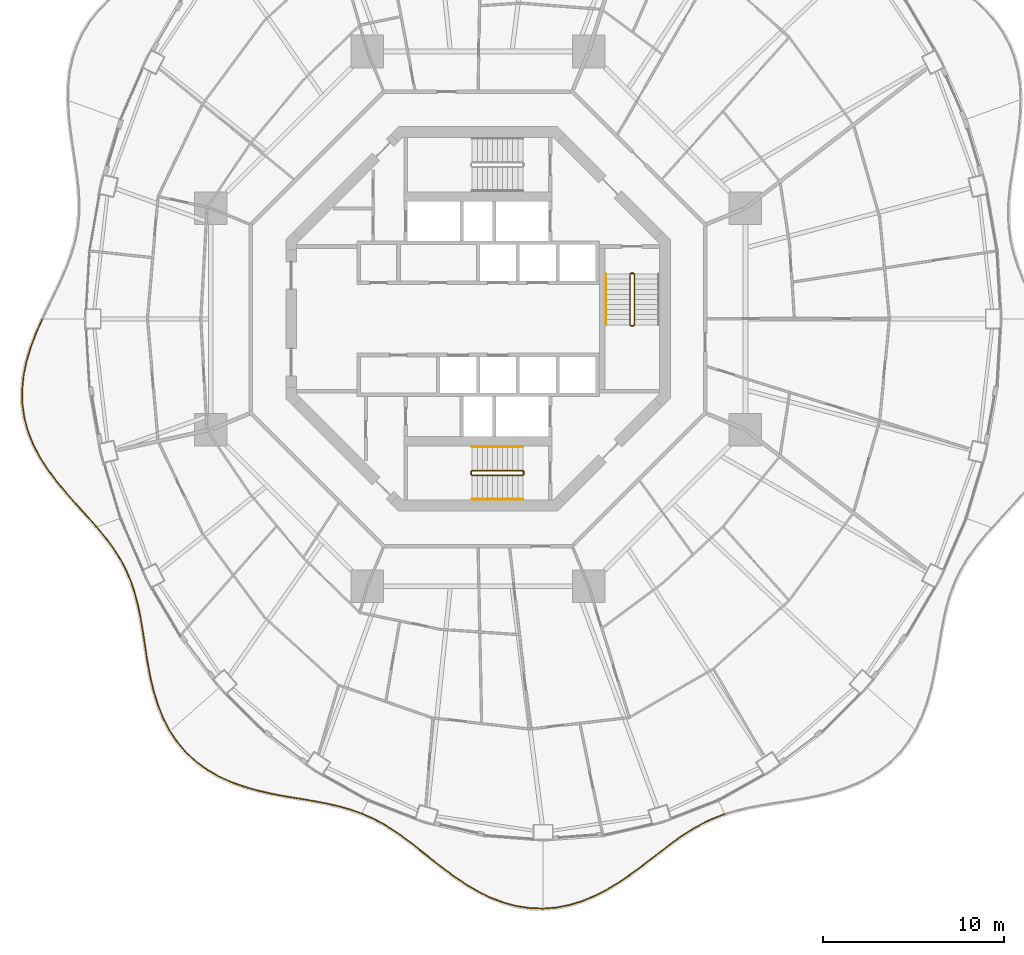
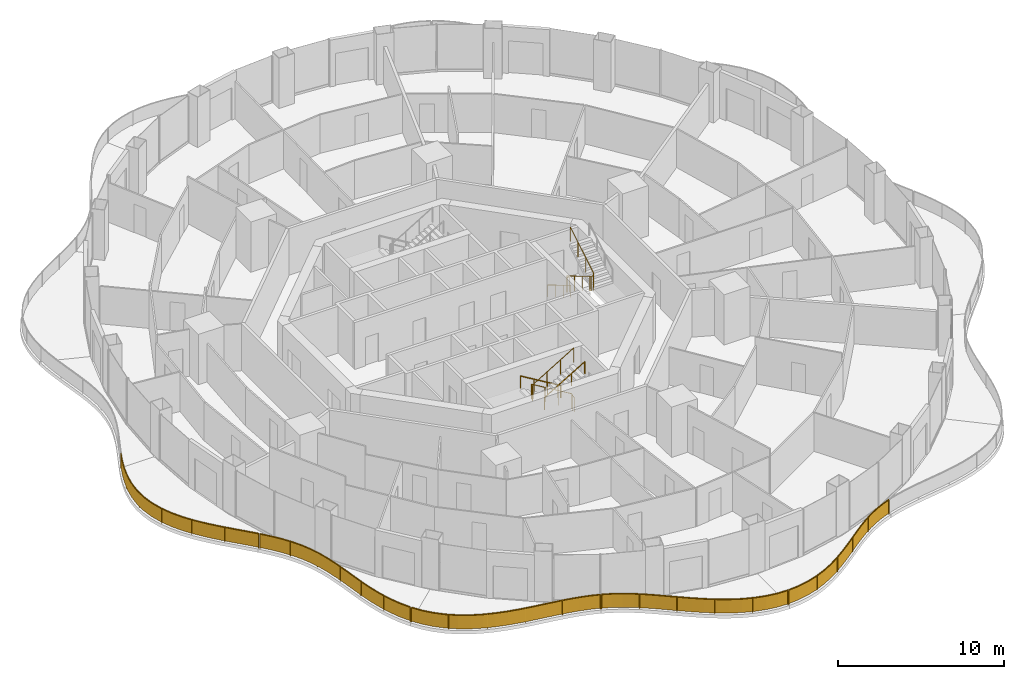
# One storey, part 17 of 19: 10 railings.
"""IFC4 building model written with IfcOpenShell, lengths in metres."""

from ifc_helpers import new_model, si_unit, direction, frame, origin, origin_2d, place, context, subcontext, project, spatial, polyline, rectangle, circle, outline, extrude, material, type_object, element, save


model = new_model("IFC4")

# Units and contexts
model_context = context("Model", 3, precision=1e-05, world=origin(), true_north=direction((0.0, 1.0)))
body_context = subcontext(model_context, "Body", "Model", "MODEL_VIEW")
ifc_project = project(units=[si_unit("LENGTHUNIT", "METRE"), si_unit("AREAUNIT", "SQUARE_METRE"), si_unit("VOLUMEUNIT", "CUBIC_METRE"), si_unit("PLANEANGLEUNIT", "RADIAN"), si_unit("MASSUNIT", "GRAM", prefix="KILO")], contexts=[model_context])

# Site, building, storey
site_placement = place(None, origin())
site = spatial("IfcSite", under=ifc_project, at=site_placement, CompositionType="ELEMENT")
building_placement = place(site_placement, origin())
building = spatial("IfcBuilding", under=site, at=building_placement, Name="Nagisa Residences", CompositionType="ELEMENT")
storey_placement = place(building_placement, frame((0.0, 0.0, 177.0)))
storey = spatial("IfcBuildingStorey", under=building, at=storey_placement, Name="L44", CompositionType="ELEMENT", Elevation=177.0)

# Railings
ifc_material_1 = material(Name="Stainless steel 316", Category="steel")
railing_type_1 = type_object("IfcRailingType", Name="BALCONY GUARD 1100", PredefinedType="BALUSTRADE", material=ifc_material_1)
railing_1_placement = place(storey_placement, frame((-24.099609375, -0.034912109375, 0.0)))
element("IfcRailing", 1, at=railing_1_placement, inside=storey, type_object=railing_type_1, Name="guard:L44:bal08-0", PredefinedType="BALUSTRADE", context=body_context, shape_type="SweptSolid", body=[
    extrude(outline(polyline([(-0.29736328125, -0.731689453125), (0.02294921875, -0.01025390625), (-0.02294921875, 0.01025390625), (-0.34375, -0.712646484375), (-0.640869140625, -1.49169921875), (-0.880615234375, -2.28173828125), (-1.04736328125, -3.078369140625), (-1.12890625, -3.87646484375), (-1.117919921875, -4.656494140625), (-1.008056640625, -5.439697265625), (-0.80078125, -6.20654296875), (-0.502197265625, -6.951904296875), (-0.12158203125, -7.672607421875), (0.324462890625, -8.353271484375), (0.82666015625, -9.02099609375), (1.363037109375, -9.663818359375), (1.91552734375, -10.285888671875), (2.465087890625, -10.892822265625), (2.966796875, -11.457763671875), (3.00439453125, -11.424560546875), (2.502197265625, -10.859619140625), (1.95263671875, -10.252685546875), (1.401123046875, -9.631103515625), (0.86572265625, -8.98974609375), (0.365478515625, -8.324462890625), (-0.07861328125, -7.647216796875), (-0.456787109375, -6.930908203125), (-0.75341796875, -6.1904296875), (-0.958740234375, -5.429443359375), (-1.068115234375, -4.652587890625), (-1.07861328125, -3.87890625), (-0.998046875, -3.086181640625), (-0.832275390625, -2.2939453125), (-0.593505859375, -1.5078125), (-0.29736328125, -0.731689453125)])), frame((0.0, 0.0, 1.050048828125)), (0.0, 0.0, 1.0), 0.050048828125),
    extrude(outline(polyline([(-0.31396484375, -0.724853515625), (0.00634765625, -0.0029296875), (-0.00634765625, 0.0029296875), (-0.3271484375, -0.719482421875), (-0.623779296875, -1.49755859375), (-0.86328125, -2.2861328125), (-1.029541015625, -3.081298828125), (-1.11083984375, -3.87744140625), (-1.10009765625, -4.655029296875), (-0.990234375, -5.43603515625), (-0.78369140625, -6.20068359375), (-0.48583984375, -6.9443359375), (-0.106201171875, -7.66357421875), (0.33935546875, -8.3427734375), (0.8408203125, -9.009765625), (1.376708984375, -9.652099609375), (1.928955078125, -10.27392578125), (2.478515625, -10.880859375), (2.98046875, -11.44580078125), (2.99072265625, -11.4365234375), (2.48876953125, -10.87158203125), (1.939208984375, -10.2646484375), (1.387451171875, -9.642822265625), (0.8515625, -9.0009765625), (0.3505859375, -8.3349609375), (-0.093994140625, -7.65625), (-0.47314453125, -6.9384765625), (-0.7705078125, -6.1962890625), (-0.9765625, -5.43310546875), (-1.0859375, -4.654052734375), (-1.0966796875, -3.8779296875), (-1.015869140625, -3.083251953125), (-0.849609375, -2.28955078125), (-0.610595703125, -1.501953125), (-0.31396484375, -0.724853515625)])), frame((0.0, 0.0, 0.06005859375)), (0.0, 0.0, 1.0), 0.989990234375),
    extrude(rectangle(XDim=0.0400390625, YDim=0.0400390625, at=origin_2d()), origin(), (0.0, 0.0, 1.0), 1.050048828125),
    extrude(rectangle(XDim=0.0400390625, YDim=0.0400390625, at=origin_2d()), frame((-0.771240234375, -2.0068359375, 0.0)), (0.0, 0.0, 1.0), 1.050048828125),
    extrude(rectangle(XDim=0.0400390625, YDim=0.0400390625, at=origin_2d()), frame((-1.100341796875, -4.125244140625, 0.0)), (0.0, 0.0, 1.0), 1.050048828125),
    extrude(rectangle(XDim=0.0400390625, YDim=0.0400390625, at=origin_2d()), frame((-0.7607421875, -6.2392578125, 0.0)), (0.0, 0.0, 1.0), 1.050048828125),
    extrude(rectangle(XDim=0.0400390625, YDim=0.0400390625, at=origin_2d()), frame((0.2197265625, -8.14794921875, 0.0)), (0.0, 0.0, 1.0), 1.050048828125),
    extrude(rectangle(XDim=0.0400390625, YDim=0.0400390625, at=origin_2d()), frame((1.550537109375, -9.837158203125, 0.0)), (0.0, 0.0, 1.0), 1.050048828125),
    extrude(rectangle(XDim=0.0400390625, YDim=0.0400390625, at=origin_2d()), frame((2.985595703125, -11.441162109375, 0.0)), (0.0, 0.0, 1.0), 1.050048828125),
])
railing_2_placement = place(storey_placement, frame((-21.06396484375, -11.531005859375, 0.0)))
element("IfcRailing", 2, at=railing_2_placement, inside=storey, type_object=railing_type_1, Name="guard:L44:bal09-0", PredefinedType="BALUSTRADE", context=body_context, shape_type="SweptSolid", body=[
    extrude(outline(polyline([(0.47314453125, -0.52978515625), (0.019287109375, 0.01611328125), (-0.019287109375, -0.01611328125), (0.43359375, -0.560546875), (0.86962890625, -1.146240234375), (1.254150390625, -1.745361328125), (1.583984375, -2.364501953125), (1.859130859375, -3.009521484375), (2.076416015625, -3.670654296875), (2.25634765625, -4.375732421875), (2.402587890625, -5.11083984375), (2.52783203125, -5.87353515625), (2.646484375, -6.65771484375), (2.764892578125, -7.443359375), (2.915771484375, -8.245849609375), (3.104248046875, -9.0419921875), (3.343505859375, -9.8193359375), (3.6435546875, -10.566650390625), (3.98828125, -11.230224609375), (4.03271484375, -11.207275390625), (3.68896484375, -10.545654296875), (3.390869140625, -9.802734375), (3.152587890625, -9.02880859375), (2.964599609375, -8.235595703125), (2.814208984375, -7.43505859375), (2.69580078125, -6.650390625), (2.5771484375, -5.86572265625), (2.451904296875, -5.10205078125), (2.30517578125, -4.364501953125), (2.124267578125, -3.656494140625), (1.906005859375, -2.991943359375), (1.62939453125, -2.343017578125), (1.297607421875, -1.719970703125), (0.91064453125, -1.117919921875), (0.47314453125, -0.52978515625)])), frame((0.0, 0.0, 1.050048828125)), (0.0, 0.0, 1.0), 0.050048828125),
    extrude(outline(polyline([(0.458984375, -0.540771484375), (0.00537109375, 0.00439453125), (-0.00537109375, -0.00439453125), (0.44775390625, -0.549560546875), (0.88427734375, -1.135986328125), (1.269775390625, -1.736328125), (1.600341796875, -2.356689453125), (1.8759765625, -3.003173828125), (2.093505859375, -3.66552734375), (2.27392578125, -4.37158203125), (2.42041015625, -5.107666015625), (2.545654296875, -5.87060546875), (2.664306640625, -6.655029296875), (2.78271484375, -7.4404296875), (2.933349609375, -8.2421875), (3.12158203125, -9.037353515625), (3.360595703125, -9.8134765625), (3.659912109375, -10.55908203125), (4.00439453125, -11.221923828125), (4.0166015625, -11.215576171875), (3.672607421875, -10.55322265625), (3.373779296875, -9.80859375), (3.13525390625, -9.033447265625), (2.947021484375, -8.2392578125), (2.79638671875, -7.43798828125), (2.677978515625, -6.653076171875), (2.559326171875, -5.86865234375), (2.43408203125, -5.105224609375), (2.28759765625, -4.36865234375), (2.107177734375, -3.66162109375), (1.88916015625, -2.998291015625), (1.613037109375, -2.350830078125), (1.281982421875, -1.72900390625), (0.89599609375, -1.128173828125), (0.458984375, -0.540771484375)])), frame((0.0, 0.0, 0.06005859375)), (0.0, 0.0, 1.0), 0.989990234375),
    extrude(rectangle(XDim=0.0400390625, YDim=0.0400390625, at=origin_2d()), origin(), (0.0, 0.0, 1.0), 1.050048828125),
    extrude(rectangle(XDim=0.0400390625, YDim=0.0400390625, at=origin_2d()), frame((1.200927734375, -1.61572265625, 0.0)), (0.0, 0.0, 1.0), 1.050048828125),
    extrude(rectangle(XDim=0.0400390625, YDim=0.0400390625, at=origin_2d()), frame((2.029052734375, -3.44677734375, 0.0)), (0.0, 0.0, 1.0), 1.050048828125),
    extrude(rectangle(XDim=0.0400390625, YDim=0.0400390625, at=origin_2d()), frame((2.47705078125, -5.409912109375, 0.0)), (0.0, 0.0, 1.0), 1.050048828125),
    extrude(rectangle(XDim=0.0400390625, YDim=0.0400390625, at=origin_2d()), frame((2.783935546875, -7.40185546875, 0.0)), (0.0, 0.0, 1.0), 1.050048828125),
    extrude(rectangle(XDim=0.0400390625, YDim=0.0400390625, at=origin_2d()), frame((3.22998046875, -9.36572265625, 0.0)), (0.0, 0.0, 1.0), 1.050048828125),
    extrude(rectangle(XDim=0.0400390625, YDim=0.0400390625, at=origin_2d()), frame((4.010498046875, -11.21875, 0.0)), (0.0, 0.0, 1.0), 1.050048828125),
])
railing_3_placement = place(storey_placement, frame((-17.014404296875, -22.816650390625, 0.0)))
element("IfcRailing", 3, at=railing_3_placement, inside=storey, type_object=railing_type_1, Name="guard:L44:bal10-0", PredefinedType="BALUSTRADE", context=body_context, shape_type="SweptSolid", body=[
    extrude(outline(polyline([(0.40966796875, -0.568359375), (0.020751953125, 0.013916015625), (-0.020751953125, -0.013916015625), (0.36962890625, -0.5986328125), (0.853759765625, -1.16748046875), (1.40185546875, -1.676025390625), (2.0087890625, -2.12109375), (2.66748046875, -2.50244140625), (3.357177734375, -2.8115234375), (4.091552734375, -3.07470703125), (4.847412109375, -3.288330078125), (5.6142578125, -3.46240234375), (6.381591796875, -3.608154296875), (7.126220703125, -3.728271484375), (7.867919921875, -3.8544921875), (8.587158203125, -3.989501953125), (9.280517578125, -4.14599609375), (9.946044921875, -4.33349609375), (10.5458984375, -4.54541015625), (10.5625, -4.498046875), (9.961181640625, -4.28564453125), (9.292724609375, -4.09765625), (8.597412109375, -3.940673828125), (7.876708984375, -3.80517578125), (7.134521484375, -3.678955078125), (6.390380859375, -3.558837890625), (5.62451171875, -3.41357421875), (4.859619140625, -3.239990234375), (4.106689453125, -3.02685546875), (3.375732421875, -2.76513671875), (2.6904296875, -2.4580078125), (2.0361328125, -2.0791015625), (1.43359375, -1.637451171875), (0.889892578125, -1.1328125), (0.40966796875, -0.568359375)])), frame((0.0, 0.0, 1.050048828125)), (0.0, 0.0, 1.0), 0.050048828125),
    extrude(outline(polyline([(0.395263671875, -0.579345703125), (0.005859375, 0.00390625), (-0.005859375, -0.00390625), (0.384033203125, -0.587646484375), (0.86669921875, -1.155029296875), (1.413330078125, -1.662109375), (2.0185546875, -2.10595703125), (2.67578125, -2.486572265625), (3.36376953125, -2.794921875), (4.096923828125, -3.057373046875), (4.851806640625, -3.27099609375), (5.617919921875, -3.44482421875), (6.384765625, -3.59033203125), (7.129150390625, -3.71044921875), (7.87109375, -3.836669921875), (8.5908203125, -3.971923828125), (9.284912109375, -4.128662109375), (9.951416015625, -4.316162109375), (10.5517578125, -4.5283203125), (10.556640625, -4.51513671875), (9.955810546875, -4.302978515625), (9.288330078125, -4.114990234375), (8.59375, -3.958251953125), (7.87353515625, -3.822998046875), (7.131591796875, -3.69677734375), (6.38720703125, -3.57666015625), (5.620849609375, -3.43115234375), (4.855224609375, -3.25732421875), (4.101318359375, -3.044189453125), (3.369140625, -2.78173828125), (2.68212890625, -2.473876953125), (2.0263671875, -2.09423828125), (1.422119140625, -1.6513671875), (0.876953125, -1.145263671875), (0.395263671875, -0.579345703125)])), frame((0.0, 0.0, 0.06005859375)), (0.0, 0.0, 1.0), 0.989990234375),
    extrude(rectangle(XDim=0.0400390625, YDim=0.0400390625, at=origin_2d()), origin(), (0.0, 0.0, 1.0), 1.050048828125),
    extrude(rectangle(XDim=0.0400390625, YDim=0.0400390625, at=origin_2d()), frame((1.564208984375, -1.76416015625, 0.0)), (0.0, 0.0, 1.0), 1.050048828125),
    extrude(rectangle(XDim=0.0400390625, YDim=0.0400390625, at=origin_2d()), frame((3.6416015625, -2.886962890625, 0.0)), (0.0, 0.0, 1.0), 1.050048828125),
    extrude(rectangle(XDim=0.0400390625, YDim=0.0400390625, at=origin_2d()), frame((5.9306640625, -3.4970703125, 0.0)), (0.0, 0.0, 1.0), 1.050048828125),
    extrude(rectangle(XDim=0.0400390625, YDim=0.0400390625, at=origin_2d()), frame((8.267333984375, -3.904052734375, 0.0)), (0.0, 0.0, 1.0), 1.050048828125),
    extrude(rectangle(XDim=0.0400390625, YDim=0.0400390625, at=origin_2d()), frame((10.55419921875, -4.521728515625, 0.0)), (0.0, 0.0, 1.0), 1.050048828125),
])
railing_4_placement = place(storey_placement, frame((-6.39599609375, -27.363037109375, 0.0)))
element("IfcRailing", 4, at=railing_4_placement, inside=storey, type_object=railing_type_1, Name="guard:L44:bal11-0", PredefinedType="BALUSTRADE", context=body_context, shape_type="SweptSolid", body=[
    extrude(outline(polyline([(0.56689453125, -0.2216796875), (0.010009765625, 0.02294921875), (-0.010009765625, -0.02294921875), (0.544921875, -0.2666015625), (1.121337890625, -0.570556640625), (1.685302734375, -0.917724609375), (2.243408203125, -1.3046875), (2.801513671875, -1.72509765625), (3.35009765625, -2.16552734375), (3.927734375, -2.62548828125), (4.5224609375, -3.086669921875), (5.13818359375, -3.535888671875), (5.77734375, -3.958984375), (6.42333984375, -4.339599609375), (7.10791015625, -4.669677734375), (7.813232421875, -4.935791015625), (8.534912109375, -5.12744140625), (9.267333984375, -5.23876953125), (9.956298828125, -5.263427734375), (9.958251953125, -5.213623046875), (9.272216796875, -5.18896484375), (8.545166015625, -5.07861328125), (7.828369140625, -4.887939453125), (7.12744140625, -4.623779296875), (6.44677734375, -4.295654296875), (5.8037109375, -3.91650390625), (5.1669921875, -3.494873046875), (4.552734375, -3.046630859375), (3.95849609375, -2.5859375), (3.38134765625, -2.12646484375), (2.832275390625, -1.685546875), (2.272705078125, -1.26416015625), (1.712646484375, -0.875732421875), (1.146240234375, -0.527099609375), (0.56689453125, -0.2216796875)])), frame((0.0, 0.0, 1.050048828125)), (0.0, 0.0, 1.0), 0.050048828125),
    extrude(outline(polyline([(0.558837890625, -0.23779296875), (0.0029296875, 0.00634765625), (-0.0029296875, -0.00634765625), (0.552978515625, -0.25048828125), (1.13037109375, -0.554931640625), (1.695068359375, -0.902587890625), (2.25390625, -1.2900390625), (2.8125, -1.7109375), (3.361328125, -2.1513671875), (3.938720703125, -2.611328125), (4.533447265625, -3.072265625), (5.148681640625, -3.521240234375), (5.786865234375, -3.943603515625), (6.431640625, -4.32373046875), (7.114990234375, -4.653076171875), (7.818603515625, -4.91845703125), (8.53857421875, -5.10986328125), (9.26904296875, -5.220947265625), (9.95703125, -5.24560546875), (9.95751953125, -5.2314453125), (9.2705078125, -5.206787109375), (8.54150390625, -5.09619140625), (7.822998046875, -4.9052734375), (7.120361328125, -4.640380859375), (6.4384765625, -4.3115234375), (5.794189453125, -3.931884765625), (5.156494140625, -3.509521484375), (4.541748046875, -3.06103515625), (3.947509765625, -2.60009765625), (3.3701171875, -2.140625), (2.8212890625, -1.69970703125), (2.26220703125, -1.27880859375), (1.702880859375, -0.890869140625), (1.13720703125, -0.542724609375), (0.558837890625, -0.23779296875)])), frame((0.0, 0.0, 0.06005859375)), (0.0, 0.0, 1.0), 0.989990234375),
    extrude(rectangle(XDim=0.0400390625, YDim=0.0400390625, at=origin_2d()), origin(), (0.0, 0.0, 1.0), 1.050048828125),
    extrude(rectangle(XDim=0.0400390625, YDim=0.0400390625, at=origin_2d()), frame((2.0, -1.10546875, 0.0)), (0.0, 0.0, 1.0), 1.050048828125),
    extrude(rectangle(XDim=0.0400390625, YDim=0.0400390625, at=origin_2d()), frame((3.81396484375, -2.5029296875, 0.0)), (0.0, 0.0, 1.0), 1.050048828125),
    extrude(rectangle(XDim=0.0400390625, YDim=0.0400390625, at=origin_2d()), frame((5.662841796875, -3.85302734375, 0.0)), (0.0, 0.0, 1.0), 1.050048828125),
    extrude(rectangle(XDim=0.0400390625, YDim=0.0400390625, at=origin_2d()), frame((7.708251953125, -4.869384765625, 0.0)), (0.0, 0.0, 1.0), 1.050048828125),
    extrude(rectangle(XDim=0.0400390625, YDim=0.0400390625, at=origin_2d()), frame((9.957275390625, -5.238525390625, 0.0)), (0.0, 0.0, 1.0), 1.050048828125),
])
railing_5_placement = place(storey_placement, frame((3.638671875, -32.599853515625, 0.0)))
element("IfcRailing", 5, at=railing_5_placement, inside=storey, type_object=railing_type_1, Name="guard:L44:bal12-0", PredefinedType="BALUSTRADE", context=body_context, shape_type="SweptSolid", body=[
    extrude(outline(polyline([(0.68310546875, 0.080322265625), (-0.001953125, 0.02490234375), (0.001953125, -0.02490234375), (0.68994140625, 0.030517578125), (1.419921875, 0.172607421875), (2.13720703125, 0.392822265625), (2.837158203125, 0.6826171875), (3.515869140625, 1.03173828125), (4.155517578125, 1.4248046875), (4.78857421875, 1.85400390625), (5.400146484375, 2.302734375), (5.9921875, 2.756591796875), (6.5693359375, 3.202880859375), (7.11962890625, 3.6240234375), (7.682373046875, 4.02099609375), (8.24755859375, 4.380859375), (8.821533203125, 4.698974609375), (9.40966796875, 4.97314453125), (9.9775390625, 5.18896484375), (9.9599609375, 5.23583984375), (9.39013671875, 5.01904296875), (8.798583984375, 4.743408203125), (8.22216796875, 4.423828125), (7.654541015625, 4.0625), (7.08984375, 3.66455078125), (6.53857421875, 3.242431640625), (5.96142578125, 2.796142578125), (5.369873046875, 2.3427734375), (4.759765625, 1.89501953125), (4.128173828125, 1.466796875), (3.491455078125, 1.0751953125), (2.816162109375, 0.72802734375), (2.1201171875, 0.440185546875), (1.40771484375, 0.221435546875), (0.68310546875, 0.080322265625)])), frame((0.0, 0.0, 1.050048828125)), (0.0, 0.0, 1.0), 0.050048828125),
    extrude(outline(polyline([(0.685546875, 0.062255859375), (-0.00048828125, 0.007080078125), (0.00048828125, -0.007080078125), (0.6875, 0.048583984375), (1.41552734375, 0.190185546875), (2.131103515625, 0.409912109375), (2.82958984375, 0.698974609375), (3.507080078125, 1.04736328125), (4.145751953125, 1.43994140625), (4.7783203125, 1.868896484375), (5.38916015625, 2.317138671875), (5.98095703125, 2.770751953125), (6.55810546875, 3.217041015625), (7.10888671875, 3.638671875), (7.67236328125, 4.035888671875), (8.238525390625, 4.396240234375), (8.813232421875, 4.71484375), (9.402587890625, 4.98974609375), (9.97119140625, 5.205810546875), (9.96630859375, 5.218994140625), (9.397216796875, 5.00244140625), (8.806884765625, 4.7275390625), (8.231201171875, 4.408447265625), (7.66455078125, 4.047607421875), (7.1005859375, 3.64990234375), (6.5498046875, 3.228271484375), (5.97265625, 2.781982421875), (5.380859375, 2.328369140625), (4.77001953125, 1.880126953125), (4.137939453125, 1.45166015625), (3.500244140625, 1.0595703125), (2.82373046875, 0.711669921875), (2.126220703125, 0.423095703125), (1.412109375, 0.203857421875), (0.685546875, 0.062255859375)])), frame((0.0, 0.0, 0.06005859375)), (0.0, 0.0, 1.0), 0.989990234375),
    extrude(rectangle(XDim=0.0400390625, YDim=0.0400390625, at=origin_2d()), origin(), (0.0, 0.0, 1.0), 1.050048828125),
    extrude(rectangle(XDim=0.0400390625, YDim=0.0400390625, at=origin_2d()), frame((2.2255859375, 0.45654296875, 0.0)), (0.0, 0.0, 1.0), 1.050048828125),
    extrude(rectangle(XDim=0.0400390625, YDim=0.0400390625, at=origin_2d()), frame((4.242431640625, 1.513916015625, 0.0)), (0.0, 0.0, 1.0), 1.050048828125),
    extrude(rectangle(XDim=0.0400390625, YDim=0.0400390625, at=origin_2d()), frame((6.0849609375, 2.85986328125, 0.0)), (0.0, 0.0, 1.0), 1.050048828125),
    extrude(rectangle(XDim=0.0400390625, YDim=0.0400390625, at=origin_2d()), frame((7.9267578125, 4.2060546875, 0.0)), (0.0, 0.0, 1.0), 1.050048828125),
    extrude(rectangle(XDim=0.0400390625, YDim=0.0400390625, at=origin_2d()), frame((9.96875, 5.21240234375, 0.0)), (0.0, 0.0, 1.0), 1.050048828125),
])
ifc_material_2 = material(Name="Stainless steel", Category="steel")
railing_type_2 = type_object("IfcRailingType", Name="Stair guard 1100", PredefinedType="GUARDRAIL", material=ifc_material_2)
railing_6_placement = place(storey_placement, frame((8.599609375, 2.52490234375, 0.0)))
element("IfcRailing", 6, at=railing_6_placement, inside=storey, type_object=railing_type_2, Name="L44 ST-E stair guard 1", PredefinedType="GUARDRAIL", context=body_context, shape_type="SweptSolid", body=[
    extrude(circle(Radius=0.02392578125, at=origin_2d()), frame((0.0, 0.0, 1.076171875), z_axis=(-1.0, 0.0, 0.0), x_axis=(0.0, -1.0, 0.0)), (0.0, 0.0, 1.0), 0.14990234375),
    extrude(circle(Radius=0.02392578125, at=origin_2d()), frame((-0.14990234375, 0.0, 1.076171875), z_axis=(-0.27434429532, -0.273006030465, 0.922064485248), x_axis=(0.705375805398, -0.708833529934, 0.0)), (0.0, 0.0, 1.0), 0.182373046875),
    extrude(circle(Radius=0.02392578125, at=origin_2d()), frame((-0.199951171875, -0.0498046875, 1.244140625), z_axis=(0.0, -0.857242210791, 0.514913383045), x_axis=(1.0, 0.0, 0.0)), (0.0, 0.0, 1.0), 3.266357421875),
    extrude(circle(Radius=0.02392578125, at=origin_2d()), frame((-0.199951171875, -2.849853515625, 2.92626953125), z_axis=(0.707106781187, -0.707106781187, 0.0), x_axis=(0.707106781187, 0.707106781187, 0.0)), (0.0, 0.0, 1.0), 0.07080078125),
    extrude(circle(Radius=0.02392578125, at=origin_2d()), frame((-0.14990234375, -2.89990234375, 2.92626953125), z_axis=(1.0, 0.0, 0.0), x_axis=(0.0, 1.0, 0.0)), (0.0, 0.0, 1.0), 0.14990234375),
    extrude(circle(Radius=0.02392578125, at=origin_2d()), frame((0.0, -2.89990234375, 2.92626953125), z_axis=(0.274582412415, 0.274582412415, 0.921525364591), x_axis=(-0.707106781187, 0.707106781187, 0.0)), (0.0, 0.0, 1.0), 0.182373046875),
    extrude(circle(Radius=0.02392578125, at=origin_2d()), frame((0.050048828125, -2.849853515625, 3.09423828125), z_axis=(0.0, 0.857242210791, 0.514913383045), x_axis=(-1.0, 0.0, 0.0)), (0.0, 0.0, 1.0), 3.266357421875),
    extrude(circle(Radius=0.02099609375, at=origin_2d()), origin(), (0.0, 0.0, 1.0), 1.052001953125),
    extrude(circle(Radius=0.02099609375, at=origin_2d()), frame((-0.14990234375, 0.0, 0.0)), (0.0, 0.0, 1.0), 1.052001953125),
    extrude(circle(Radius=0.02099609375, at=origin_2d()), frame((-0.199951171875, -0.0498046875, 0.168212890625)), (0.0, 0.0, 1.0), 1.052001953125),
    extrude(circle(Radius=0.02099609375, at=origin_2d()), frame((-0.199951171875, -0.983154296875, 0.728759765625)), (0.0, 0.0, 1.0), 1.052001953125),
    extrude(circle(Radius=0.02099609375, at=origin_2d()), frame((-0.199951171875, -1.91650390625, 1.28955078125)), (0.0, 0.0, 1.0), 1.052001953125),
    extrude(circle(Radius=0.02099609375, at=origin_2d()), frame((-0.199951171875, -2.849853515625, 1.85009765625)), (0.0, 0.0, 1.0), 1.052001953125),
    extrude(circle(Radius=0.02099609375, at=origin_2d()), frame((-0.14990234375, -2.89990234375, 1.85009765625)), (0.0, 0.0, 1.0), 1.052001953125),
    extrude(circle(Radius=0.02099609375, at=origin_2d()), frame((0.0, -2.89990234375, 1.85009765625)), (0.0, 0.0, 1.0), 1.052001953125),
    extrude(circle(Radius=0.02099609375, at=origin_2d()), frame((0.050048828125, -2.849853515625, 2.01806640625)), (0.0, 0.0, 1.0), 1.052001953125),
    extrude(circle(Radius=0.02099609375, at=origin_2d()), frame((0.050048828125, -1.91650390625, 2.57861328125)), (0.0, 0.0, 1.0), 1.052001953125),
    extrude(circle(Radius=0.02099609375, at=origin_2d()), frame((0.050048828125, -0.983154296875, 3.139404296875)), (0.0, 0.0, 1.0), 1.052001953125),
    extrude(circle(Radius=0.02099609375, at=origin_2d()), frame((0.050048828125, -0.0498046875, 3.699951171875)), (0.0, 0.0, 1.0), 1.052001953125),
])
railing_7_placement = place(storey_placement, frame((2.52490234375, -8.599609375, 0.0)))
element("IfcRailing", 7, at=railing_7_placement, inside=storey, type_object=railing_type_2, Name="L44 ST-S stair guard 1", PredefinedType="GUARDRAIL", context=body_context, shape_type="SweptSolid", body=[
    extrude(circle(Radius=0.02392578125, at=origin_2d()), frame((0.0, 0.0, 1.076171875), z_axis=(0.0, 1.0, 0.0), x_axis=(-1.0, 0.0, 0.0)), (0.0, 0.0, 1.0), 0.14990234375),
    extrude(circle(Radius=0.02392578125, at=origin_2d()), frame((0.0, 0.14990234375, 1.076171875), z_axis=(-0.273006030465, 0.27434429532, 0.922064485248), x_axis=(-0.708833529934, -0.705375805398, 0.0)), (0.0, 0.0, 1.0), 0.182373046875),
    extrude(circle(Radius=0.02392578125, at=origin_2d()), frame((-0.0498046875, 0.199951171875, 1.244140625), z_axis=(-0.857242210791, 0.0, 0.514913383045), x_axis=(0.0, -1.0, 0.0)), (0.0, 0.0, 1.0), 3.266357421875),
    extrude(circle(Radius=0.02392578125, at=origin_2d()), frame((-2.849853515625, 0.199951171875, 2.92626953125), z_axis=(-0.707106781187, -0.707106781187, 0.0), x_axis=(0.707106781187, -0.707106781187, 0.0)), (0.0, 0.0, 1.0), 0.07080078125),
    extrude(circle(Radius=0.02392578125, at=origin_2d()), frame((-2.89990234375, 0.14990234375, 2.92626953125), z_axis=(0.0, -1.0, 0.0), x_axis=(1.0, 0.0, 0.0)), (0.0, 0.0, 1.0), 0.14990234375),
    extrude(circle(Radius=0.02392578125, at=origin_2d()), frame((-2.89990234375, 0.0, 2.92626953125), z_axis=(0.274582412415, -0.274582412415, 0.921525364591), x_axis=(0.707106781187, 0.707106781187, 0.0)), (0.0, 0.0, 1.0), 0.182373046875),
    extrude(circle(Radius=0.02392578125, at=origin_2d()), frame((-2.849853515625, -0.050048828125, 3.09423828125), z_axis=(0.857242210791, 0.0, 0.514913383045), x_axis=(0.0, 1.0, 0.0)), (0.0, 0.0, 1.0), 3.266357421875),
    extrude(circle(Radius=0.02099609375, at=origin_2d()), origin(), (0.0, 0.0, 1.0), 1.052001953125),
    extrude(circle(Radius=0.02099609375, at=origin_2d()), frame((0.0, 0.14990234375, 0.0)), (0.0, 0.0, 1.0), 1.052001953125),
    extrude(circle(Radius=0.02099609375, at=origin_2d()), frame((-0.0498046875, 0.199951171875, 0.168212890625)), (0.0, 0.0, 1.0), 1.052001953125),
    extrude(circle(Radius=0.02099609375, at=origin_2d()), frame((-0.983154296875, 0.199951171875, 0.728759765625)), (0.0, 0.0, 1.0), 1.052001953125),
    extrude(circle(Radius=0.02099609375, at=origin_2d()), frame((-1.91650390625, 0.199951171875, 1.28955078125)), (0.0, 0.0, 1.0), 1.052001953125),
    extrude(circle(Radius=0.02099609375, at=origin_2d()), frame((-2.849853515625, 0.199951171875, 1.85009765625)), (0.0, 0.0, 1.0), 1.052001953125),
    extrude(circle(Radius=0.02099609375, at=origin_2d()), frame((-2.89990234375, 0.14990234375, 1.85009765625)), (0.0, 0.0, 1.0), 1.052001953125),
    extrude(circle(Radius=0.02099609375, at=origin_2d()), frame((-2.89990234375, 0.0, 1.85009765625)), (0.0, 0.0, 1.0), 1.052001953125),
    extrude(circle(Radius=0.02099609375, at=origin_2d()), frame((-2.849853515625, -0.050048828125, 2.01806640625)), (0.0, 0.0, 1.0), 1.052001953125),
    extrude(circle(Radius=0.02099609375, at=origin_2d()), frame((-1.91650390625, -0.050048828125, 2.57861328125)), (0.0, 0.0, 1.0), 1.052001953125),
    extrude(circle(Radius=0.02099609375, at=origin_2d()), frame((-0.983154296875, -0.050048828125, 3.139404296875)), (0.0, 0.0, 1.0), 1.052001953125),
    extrude(circle(Radius=0.02099609375, at=origin_2d()), frame((-0.0498046875, -0.050048828125, 3.699951171875)), (0.0, 0.0, 1.0), 1.052001953125),
])
ifc_material_3 = material(Name="Stainless steel", Category="steel")
railing_type_3 = type_object("IfcRailingType", Name="Stair handrail 900", PredefinedType="HANDRAIL", material=ifc_material_3)
railing_8_placement = place(storey_placement, frame((7.07470703125, 2.47509765625, 0.168212890625)))
element("IfcRailing", 8, at=railing_8_placement, inside=storey, type_object=railing_type_3, Name="L44 ST-E stair handrail 1", PredefinedType="HANDRAIL", context=body_context, shape_type="SweptSolid", body=[
    extrude(circle(Radius=0.02392578125, at=origin_2d()), frame((0.0, 0.0, 0.8759765625), z_axis=(0.0, -0.857242210791, 0.514913383045), x_axis=(1.0, 0.0, 0.0)), (0.0, 0.0, 1.0), 3.266357421875),
    extrude(circle(Radius=0.02099609375, at=origin_2d()), origin(), (0.0, 0.0, 1.0), 0.851806640625),
    extrude(circle(Radius=0.02099609375, at=origin_2d()), frame((0.0, -0.933349609375, 0.560546875)), (0.0, 0.0, 1.0), 0.851806640625),
    extrude(circle(Radius=0.02099609375, at=origin_2d()), frame((0.0, -1.86669921875, 1.121337890625)), (0.0, 0.0, 1.0), 0.851806640625),
    extrude(circle(Radius=0.02099609375, at=origin_2d()), frame((0.0, -2.800048828125, 1.681884765625)), (0.0, 0.0, 1.0), 0.851806640625),
])
railing_9_placement = place(storey_placement, frame((2.47509765625, -7.07470703125, 0.168212890625)))
element("IfcRailing", 9, at=railing_9_placement, inside=storey, type_object=railing_type_3, Name="L44 ST-S stair handrail 1", PredefinedType="HANDRAIL", context=body_context, shape_type="SweptSolid", body=[
    extrude(circle(Radius=0.02392578125, at=origin_2d()), frame((0.0, 0.0, 0.8759765625), z_axis=(-0.857242210791, 0.0, 0.514913383045), x_axis=(0.0, -1.0, 0.0)), (0.0, 0.0, 1.0), 3.266357421875),
    extrude(circle(Radius=0.02099609375, at=origin_2d()), origin(), (0.0, 0.0, 1.0), 0.851806640625),
    extrude(circle(Radius=0.02099609375, at=origin_2d()), frame((-0.933349609375, 0.0, 0.560546875)), (0.0, 0.0, 1.0), 0.851806640625),
    extrude(circle(Radius=0.02099609375, at=origin_2d()), frame((-1.86669921875, 0.0, 1.121337890625)), (0.0, 0.0, 1.0), 0.851806640625),
    extrude(circle(Radius=0.02099609375, at=origin_2d()), frame((-2.800048828125, 0.0, 1.681884765625)), (0.0, 0.0, 1.0), 0.851806640625),
])
railing_10_placement = place(storey_placement, frame((-0.324951171875, -9.974609375, 2.01806640625)))
element("IfcRailing", 10, at=railing_10_placement, inside=storey, type_object=railing_type_3, Name="L44 ST-S stair handrail 2", PredefinedType="HANDRAIL", context=body_context, shape_type="SweptSolid", body=[
    extrude(circle(Radius=0.02392578125, at=origin_2d()), frame((0.0, 0.0, 0.8759765625), z_axis=(0.857242210791, 0.0, 0.514913383045), x_axis=(0.0, 1.0, 0.0)), (0.0, 0.0, 1.0), 3.266357421875),
    extrude(circle(Radius=0.02099609375, at=origin_2d()), origin(), (0.0, 0.0, 1.0), 0.851806640625),
    extrude(circle(Radius=0.02099609375, at=origin_2d()), frame((0.933349609375, 0.0, 0.560546875)), (0.0, 0.0, 1.0), 0.851806640625),
    extrude(circle(Radius=0.02099609375, at=origin_2d()), frame((1.86669921875, 0.0, 1.121337890625)), (0.0, 0.0, 1.0), 0.851806640625),
    extrude(circle(Radius=0.02099609375, at=origin_2d()), frame((2.800048828125, 0.0, 1.681884765625)), (0.0, 0.0, 1.0), 0.851806640625),
])

save(model, "model.ifc")
